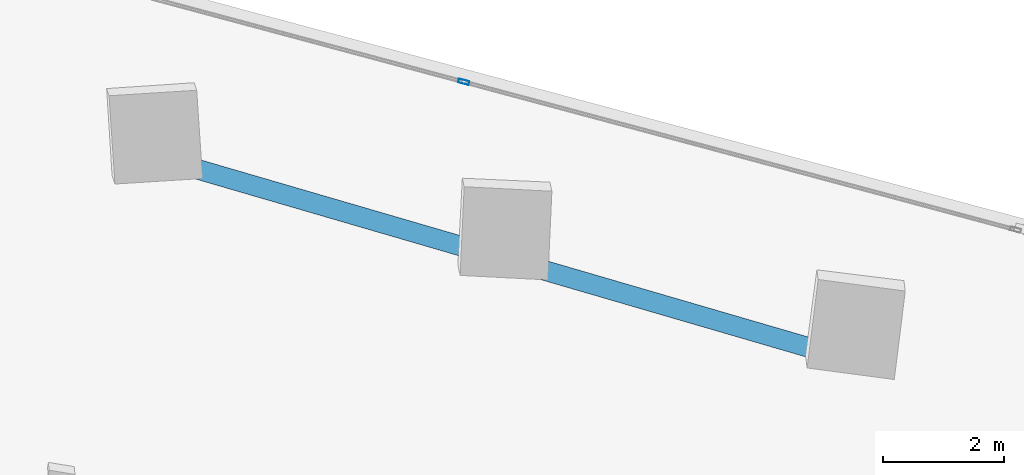
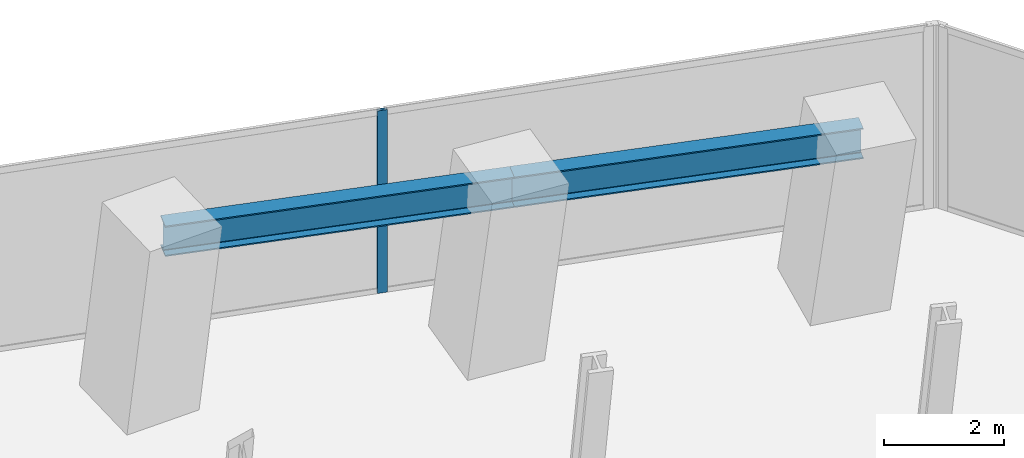
# One storey, part 10 of 26: 2 beams, 1 member, 1 element without a shape of its own.
"""IFC4 building model written with IfcOpenShell, lengths in metres."""

from ifc_helpers import new_model, si_unit, direction, frame, origin, origin_2d, place, context, subcontext, project, spatial, hollow_rectangle, i_section, extrude, source, transform, mapped, material, material_profile, profile_set, type_object, element, aggregate, save


model = new_model("IFC4")

# Units and contexts
model_context = context("Model", 3, precision=1e-05, world=origin(), true_north=direction((0.0, 1.0)))
body_context = subcontext(model_context, "Body", "Model", "MODEL_VIEW")
ifc_project = project(units=[si_unit("LENGTHUNIT", "METRE"), si_unit("AREAUNIT", "SQUARE_METRE"), si_unit("VOLUMEUNIT", "CUBIC_METRE"), si_unit("PLANEANGLEUNIT", "RADIAN"), si_unit("MASSUNIT", "GRAM", prefix="KILO")], contexts=[model_context])

# Site, building, storey
site_placement = place(None, origin())
site = spatial("IfcSite", under=ifc_project, at=site_placement, CompositionType="ELEMENT")
building_placement = place(site_placement, origin())
building = spatial("IfcBuilding", under=site, at=building_placement, Name="Torre Montelarca", CompositionType="ELEMENT")
storey_placement = place(building_placement, frame((0.0, 0.0, 104.199951171875)))
storey = spatial("IfcBuildingStorey", under=building, at=storey_placement, Name="L23", CompositionType="ELEMENT", Elevation=104.199951171875)

# Beams
ifc_material_1 = material(Name="Steel ASTM A992 Grade 50", Category="steel")
ifc_material_profile_1 = material_profile(ifc_material_1, i_section(OverallWidth=0.326904296875, OverallDepth=0.6220703125, WebThickness=0.015380859375, FlangeThickness=0.0244140625, FilletRadius=0.014892578125, at=origin_2d()), Name="W610X195", Category="steel")
ifc_profile_set_1 = profile_set([ifc_material_profile_1], Name="Steel ASTM A992 Grade 50")
beam_type = type_object("IfcBeamType", Name="BM-G-W610H", PredefinedType="BEAM", material=ifc_profile_set_1)
shared_shape_1 = source(origin(), body_context, "Body", "SweptSolid", [
    extrude(i_section(OverallWidth=0.326904296875, OverallDepth=0.6220703125, WebThickness=0.015380859375, FlangeThickness=0.0244140625, FilletRadius=0.014892578125, at=origin_2d()), origin(), (0.0, 0.0, 1.0), 6.0),
])
for number, where, z_axis, x_axis, name in (
    (1, (45.0986328125, 39.7041015625, 3.649169921875), (0.960050115229, -0.279828119116, 0.0), (0.279828119116, 0.960050115229, 0.0), "L23 Grid Girder X 42.0-48.0 at Y=46.0"),
    (2, (50.85888671875, 38.025146484375, 3.649169921875), (0.960050115229, -0.279828119116, 0.0), (0.279828119116, 0.960050115229, 0.0), "L23 Grid Girder X 48.0-54.0 at Y=46.0"),
):
    element("IfcBeam", number, at=place(storey_placement, frame(where, z_axis=z_axis, x_axis=x_axis)), inside=storey, type_object=beam_type, Name=name, PredefinedType="BEAM", context=body_context, shape_type="MappedRepresentation", body=[
        mapped(shared_shape_1, transform((0.0, 0.0, 0.0), scale=1.0)),
    ])

# Curtain wall, member
ifc_material_2 = material(Name="Insulated low-E laminated glass", Category="glass")
curtain_wall_type = type_object("IfcCurtainWallType", Name="CW-SYS-Z1", PredefinedType="USERDEFINED", material=ifc_material_2)
curtain_wall_placement = place(storey_placement, origin())
curtain_wall = element("IfcCurtainWall", 3, at=curtain_wall_placement, inside=storey, type_object=curtain_wall_type, Name="L23 Curtain Wall Run CW-T3-L23-E08-B1", ObjectType="UNITISED GLAZING", PredefinedType="USERDEFINED")
ifc_material_3 = material(Name="Anodised aluminium AA 6063-T6", Category="aluminium")
ifc_material_profile_2 = material_profile(ifc_material_3, hollow_rectangle(XDim=0.06494140625, YDim=0.179931640625, WallThickness=0.00390625, InnerFilletRadius=0.00390625, OuterFilletRadius=0.008056640625, at=origin_2d()), Name="ALU65X180X4", Category="aluminium")
ifc_profile_set_2 = profile_set([ifc_material_profile_2], Name="Anodised aluminium AA 6063-T6")
member_type = type_object("IfcMemberType", Name="CWM-ALU180", PredefinedType="MULLION", material=ifc_profile_set_2)
shared_shape_2 = source(origin(), body_context, "Body", "SweptSolid", [
    extrude(hollow_rectangle(XDim=0.06494140625, YDim=0.179931640625, WallThickness=0.00390625, InnerFilletRadius=0.00390625, OuterFilletRadius=0.008056640625, at=origin_2d()), origin(), (0.0, 0.0, 1.0), 3.719970703125),
])
member_placement = place(storey_placement, frame((50.062255859375, 40.983642578125, 0.0), z_axis=(0.0, 0.0, 1.0), x_axis=(-0.258819830038, -0.965925615966, 0.0)))
member = element("IfcMember", 4, at=member_placement, type_object=member_type, Name="CW mullion 2", PredefinedType="MULLION", context=body_context, shape_type="MappedRepresentation", body=[
    mapped(shared_shape_2, transform((0.0, 0.0, 0.0), scale=1.0)),
])
aggregate(curtain_wall, [member])

save(model, "model.ifc")
